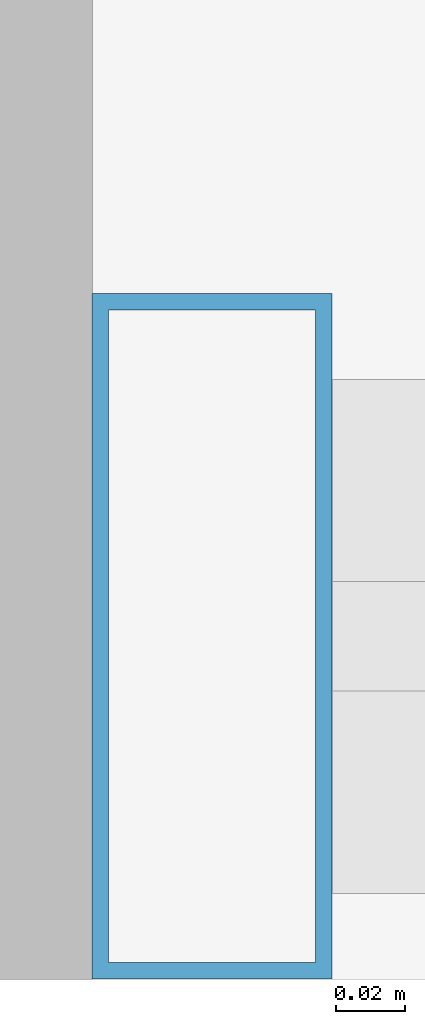
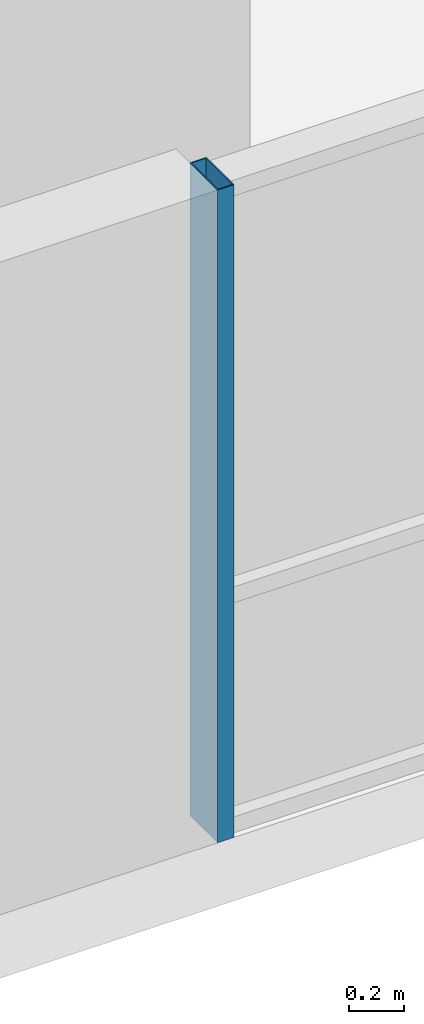
# One storey, part 2 of 30: 1 member, 1 element without a shape of its own.
"""IFC4 building model written with IfcOpenShell, lengths in metres."""

from ifc_helpers import new_model, si_unit, direction, frame, origin, origin_2d, place, context, subcontext, project, spatial, hollow_rectangle, extrude, source, transform, mapped, material, layer, layer_set, material_profile, profile_set, type_object, element, aggregate, save


model = new_model("IFC4")

# Units and contexts
model_context = context("Model", 3, precision=1e-05, world=origin(), true_north=direction((0.0, 1.0)))
body_context = subcontext(model_context, "Body", "Model", "MODEL_VIEW")
ifc_project = project(units=[si_unit("LENGTHUNIT", "METRE"), si_unit("AREAUNIT", "SQUARE_METRE"), si_unit("VOLUMEUNIT", "CUBIC_METRE"), si_unit("PLANEANGLEUNIT", "RADIAN"), si_unit("MASSUNIT", "GRAM", prefix="KILO")], contexts=[model_context])

# Site, building, storey
site_placement = place(None, origin())
site = spatial("IfcSite", under=ifc_project, at=site_placement, CompositionType="ELEMENT")
building_placement = place(site_placement, origin())
building = spatial("IfcBuilding", under=site, at=building_placement, Name="Saelheon Loggia Tower", CompositionType="ELEMENT")
storey_placement = place(building_placement, frame((0.0, 0.0, 11.39990234375)))
storey = spatial("IfcBuildingStorey", under=building, at=storey_placement, Name="L03", CompositionType="ELEMENT", Elevation=11.39990234375)

# Curtain wall, member
ifc_material_1 = material(Name="Aluminium 6063-T6 and Low-E IGU", Category="aluminium")
ifc_layer = layer(ifc_material_1, 0.179931640625)
ifc_layer_set = layer_set([ifc_layer], Name="Aluminium 6063-T6 and Low-E IGU")
curtain_wall_type = type_object("IfcCurtainWallType", Name="CW_PodiumClinic", PredefinedType="NOTDEFINED", material=ifc_layer_set)
curtain_wall_placement = place(storey_placement, origin())
curtain_wall = element("IfcCurtainWall", 1, at=curtain_wall_placement, inside=storey, type_object=curtain_wall_type, Name="L03 South Clinic Curtain Wall 1", PredefinedType="NOTDEFINED")
ifc_material_2 = material(Name="Anodised Aluminium 6063-T6", Category="aluminium")
ifc_material_profile = material_profile(ifc_material_2, hollow_rectangle(XDim=0.070068359375, YDim=0.199951171875, WallThickness=0.0048828125, at=origin_2d()), Name="RHS-200x70x5")
ifc_profile_set = profile_set([ifc_material_profile], Name="Anodised Aluminium 6063-T6")
member_type = type_object("IfcMemberType", Name="CW_PodiumClinic_Mullion", PredefinedType="MULLION", material=ifc_profile_set)
shared_shape = source(origin(), body_context, "Body", "SweptSolid", [
    extrude(hollow_rectangle(XDim=0.070068359375, YDim=0.199951171875, WallThickness=0.0048828125, at=origin_2d()), origin(), (0.0, 0.0, 1.0), 2.880126953125),
])
member_placement = place(storey_placement, frame((16.034912109375, 0.10009765625, 0.0), z_axis=(0.0, 0.0, 1.0), x_axis=(1.0, 0.0, 0.0)))
member = element("IfcMember", 2, at=member_placement, type_object=member_type, Name="CW1 mullion 1", PredefinedType="MULLION", context=body_context, shape_type="MappedRepresentation", body=[
    mapped(shared_shape, transform((0.0, 0.0, 0.0), scale=1.0)),
])
aggregate(curtain_wall, [member])

save(model, "model.ifc")
